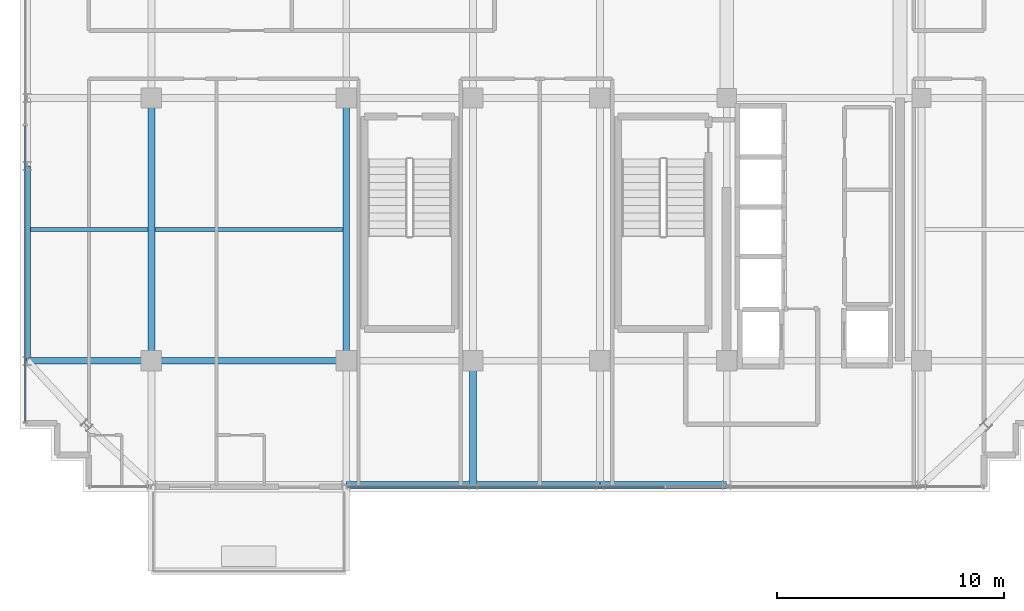
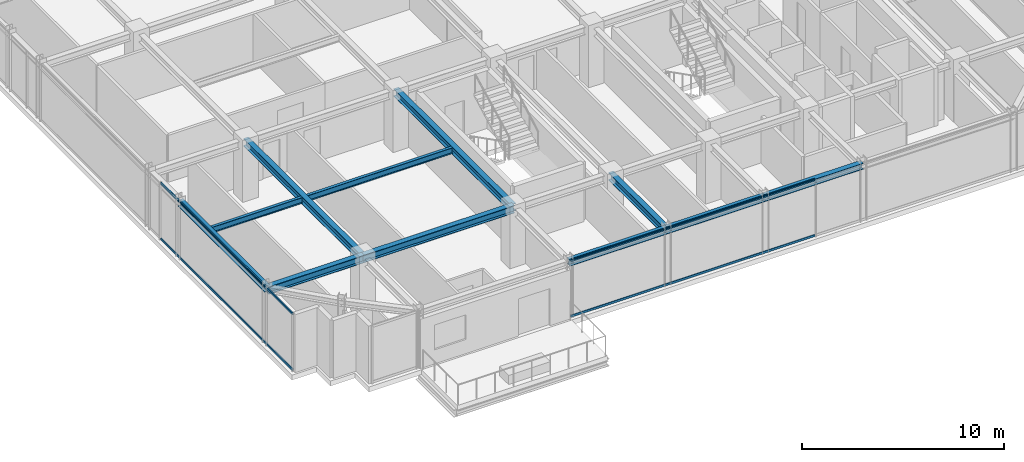
# One storey, part 6 of 33: 11 beams, 4 members, 2 elements without a shape of their own.
"""IFC4 building model written with IfcOpenShell, lengths in metres."""

from ifc_helpers import new_model, si_unit, direction, frame, origin, origin_2d, place, context, subcontext, project, spatial, hollow_rectangle, i_section, extrude, source, transform, mapped, material, material_profile, profile_set, type_object, element, aggregate, save


model = new_model("IFC4")

# Units and contexts
model_context = context("Model", 3, precision=1e-05, world=origin(), true_north=direction((0.0, 1.0)))
body_context = subcontext(model_context, "Body", "Model", "MODEL_VIEW")
ifc_project = project(units=[si_unit("LENGTHUNIT", "METRE"), si_unit("AREAUNIT", "SQUARE_METRE"), si_unit("VOLUMEUNIT", "CUBIC_METRE"), si_unit("PLANEANGLEUNIT", "RADIAN"), si_unit("MASSUNIT", "GRAM", prefix="KILO")], contexts=[model_context])

# Site, building, storey
site_placement = place(None, origin())
site = spatial("IfcSite", under=ifc_project, at=site_placement, CompositionType="ELEMENT")
building_placement = place(site_placement, origin())
building = spatial("IfcBuilding", under=site, at=building_placement, Name="Nahalor Promenade Grand Hotel", CompositionType="ELEMENT")
storey_placement = place(building_placement, frame((0.0, 0.0, 315.75)))
storey = spatial("IfcBuildingStorey", under=building, at=storey_placement, Name="L81", CompositionType="ELEMENT", Elevation=315.75)

# Beams
ifc_material_1 = material(Name="Steel S355JR", Category="steel")
ifc_material_profile_1 = material_profile(ifc_material_1, i_section(OverallWidth=0.3, OverallDepth=0.45, WebThickness=0.014, FlangeThickness=0.026, at=origin_2d()), Name="HEB 450")
ifc_profile_set_1 = profile_set([ifc_material_profile_1], Name="Steel S355JR")
beam_type_1 = type_object("IfcBeamType", Name="Beam-Girder-HEB450", PredefinedType="BEAM", material=ifc_profile_set_1)
shared_shape_1 = source(origin(), body_context, "Body", "SweptSolid", [
    extrude(i_section(OverallWidth=0.3, OverallDepth=0.45, WebThickness=0.014, FlangeThickness=0.026, at=origin_2d()), origin(), (0.0, 0.0, 1.0), 8.60009765625),
])
beam_1_placement = place(storey_placement, frame((-17.0, -17.0, 3.27490234375), z_axis=(1.0, 0.0, 0.0), x_axis=(0.0, 1.0, 0.0)))
element("IfcBeam", 1, at=beam_1_placement, inside=storey, type_object=beam_type_1, Name="BM-L81-GX-0-1", PredefinedType="BEAM", context=body_context, shape_type="MappedRepresentation", body=[
    mapped(shared_shape_1, transform((0.0, 0.0, 0.0), scale=1.0)),
])
shared_shape_2 = source(origin(), body_context, "Body", "SweptSolid", [
    extrude(i_section(OverallWidth=0.3, OverallDepth=0.45, WebThickness=0.014, FlangeThickness=0.026, at=origin_2d()), origin(), (0.0, 0.0, 1.0), 11.60009765625),
])
for number, where, z_axis, x_axis, name in (
    (2, (-17.0, -17.0, 3.27490234375), (0.0, 1.0, 0.0), (-1.0, 0.0, 0.0), "BM-L81-GY-0-1"),
    (3, (-8.39990234375, -17.0, 3.27490234375), (0.0, 1.0, 0.0), (-1.0, 0.0, 0.0), "BM-L81-GY-1-1"),
):
    element("IfcBeam", number, at=place(storey_placement, frame(where, z_axis=z_axis, x_axis=x_axis)), inside=storey, type_object=beam_type_1, Name=name, PredefinedType="BEAM", context=body_context, shape_type="MappedRepresentation", body=[
        mapped(shared_shape_2, transform((0.0, 0.0, 0.0), scale=1.0)),
    ])
shared_shape_3 = source(origin(), body_context, "Body", "SweptSolid", [
    extrude(i_section(OverallWidth=0.3, OverallDepth=0.45, WebThickness=0.014, FlangeThickness=0.026, at=origin_2d()), origin(), (0.0, 0.0, 1.0), 5.47998046875),
])
for number, where, z_axis, x_axis, name in (
    (4, (-22.47998046875, -17.0, 3.27490234375), (1.0, 0.0, 0.0), (0.0, 1.0, 0.0), "BM-L81-GX-0-0"),
    (5, (-2.800048828125, -22.47998046875, 3.27490234375), (0.0, 1.0, 0.0), (-1.0, 0.0, 0.0), "BM-L81-GY-2-0"),
):
    element("IfcBeam", number, at=place(storey_placement, frame(where, z_axis=z_axis, x_axis=x_axis)), inside=storey, type_object=beam_type_1, Name=name, PredefinedType="BEAM", context=body_context, shape_type="MappedRepresentation", body=[
        mapped(shared_shape_3, transform((0.0, 0.0, 0.0), scale=1.0)),
    ])
ifc_material_profile_2 = material_profile(ifc_material_1, i_section(OverallWidth=0.3, OverallDepth=0.36, WebThickness=0.0125, FlangeThickness=0.0225, at=origin_2d()), Name="HEB 360")
ifc_profile_set_2 = profile_set([ifc_material_profile_2], Name="Steel S355JR")
beam_type_2 = type_object("IfcBeamType", Name="Beam-Spandrel-HEB360", PredefinedType="SPANDREL", material=ifc_profile_set_2)
shared_shape_4 = source(origin(), body_context, "Body", "SweptSolid", [
    extrude(i_section(OverallWidth=0.3, OverallDepth=0.36, WebThickness=0.0125, FlangeThickness=0.0225, at=origin_2d()), origin(), (0.0, 0.0, 1.0), 8.60009765625),
])
beam_2_placement = place(storey_placement, frame((-22.47998046875, -17.0, 3.320068359375), z_axis=(0.0, 1.0, 0.0), x_axis=(-1.0, 0.0, 0.0)))
element("IfcBeam", 6, at=beam_2_placement, inside=storey, type_object=beam_type_2, Name="BM-L81-SP-W-0", PredefinedType="SPANDREL", context=body_context, shape_type="MappedRepresentation", body=[
    mapped(shared_shape_4, transform((0.0, 0.0, 0.0), scale=1.0)),
])
shared_shape_5 = source(origin(), body_context, "Body", "SweptSolid", [
    extrude(i_section(OverallWidth=0.3, OverallDepth=0.36, WebThickness=0.0125, FlangeThickness=0.0225, at=origin_2d()), origin(), (0.0, 0.0, 1.0), 5.599853515625),
])
for number, where, z_axis, x_axis, name in (
    (7, (-8.39990234375, -22.47998046875, 3.320068359375), (1.0, 0.0, 0.0), (0.0, 1.0, 0.0), "BM-L81-SP-S-1"),
    (8, (2.800048828125, -22.47998046875, 3.320068359375), (1.0, 0.0, 0.0), (0.0, 1.0, 0.0), "BM-L81-SP-S-3"),
):
    element("IfcBeam", number, at=place(storey_placement, frame(where, z_axis=z_axis, x_axis=x_axis)), inside=storey, type_object=beam_type_2, Name=name, PredefinedType="SPANDREL", context=body_context, shape_type="MappedRepresentation", body=[
        mapped(shared_shape_5, transform((0.0, 0.0, 0.0), scale=1.0)),
    ])
shared_shape_6 = source(origin(), body_context, "Body", "SweptSolid", [
    extrude(i_section(OverallWidth=0.3, OverallDepth=0.36, WebThickness=0.0125, FlangeThickness=0.0225, at=origin_2d()), origin(), (0.0, 0.0, 1.0), 5.60009765625),
])
beam_3_placement = place(storey_placement, frame((-2.800048828125, -22.47998046875, 3.320068359375), z_axis=(1.0, 0.0, 0.0), x_axis=(0.0, 1.0, 0.0)))
element("IfcBeam", 9, at=beam_3_placement, inside=storey, type_object=beam_type_2, Name="BM-L81-SP-S-2", PredefinedType="SPANDREL", context=body_context, shape_type="MappedRepresentation", body=[
    mapped(shared_shape_6, transform((0.0, 0.0, 0.0), scale=1.0)),
])
ifc_material_profile_3 = material_profile(ifc_material_1, i_section(OverallWidth=0.17, OverallDepth=0.36, WebThickness=0.008, FlangeThickness=0.0127, at=origin_2d()), Name="IPE 360")
ifc_profile_set_3 = profile_set([ifc_material_profile_3], Name="Steel S355JR")
beam_type_3 = type_object("IfcBeamType", Name="Beam-Joist-IPE360", PredefinedType="JOIST", material=ifc_profile_set_3)
shared_shape_7 = source(origin(), body_context, "Body", "SweptSolid", [
    extrude(i_section(OverallWidth=0.17, OverallDepth=0.36, WebThickness=0.008, FlangeThickness=0.0127, at=origin_2d()), origin(), (0.0, 0.0, 1.0), 5.18017578125),
])
beam_4_placement = place(storey_placement, frame((-22.330078125, -11.199951171875, 3.320068359375), z_axis=(1.0, 0.0, 0.0), x_axis=(0.0, 1.0, 0.0)))
element("IfcBeam", 10, at=beam_4_placement, inside=storey, type_object=beam_type_3, Name="BM-L81-JSW-0-0", PredefinedType="JOIST", context=body_context, shape_type="MappedRepresentation", body=[
    mapped(shared_shape_7, transform((0.0, 0.0, 0.0), scale=1.0)),
])
shared_shape_8 = source(origin(), body_context, "Body", "SweptSolid", [
    extrude(i_section(OverallWidth=0.17, OverallDepth=0.36, WebThickness=0.008, FlangeThickness=0.0127, at=origin_2d()), origin(), (0.0, 0.0, 1.0), 8.300048828125),
])
beam_5_placement = place(storey_placement, frame((-16.85009765625, -11.199951171875, 3.320068359375), z_axis=(1.0, 0.0, 0.0), x_axis=(0.0, 1.0, 0.0)))
element("IfcBeam", 11, at=beam_5_placement, inside=storey, type_object=beam_type_3, Name="BM-L81-JSW-0-1", PredefinedType="JOIST", context=body_context, shape_type="MappedRepresentation", body=[
    mapped(shared_shape_8, transform((0.0, 0.0, 0.0), scale=1.0)),
])

# Curtain wall, members
ifc_material_2 = material(Name="Anodised Bronze Aluminium EN AW-6063 T6", Category="aluminium")
curtain_wall_type = type_object("IfcCurtainWallType", Name="CW2 Typical Hotel Flush Bronze Unitised Curtain Wall", PredefinedType="USERDEFINED", material=ifc_material_2)
curtain_wall_1_placement = place(storey_placement, origin())
curtain_wall_1 = element("IfcCurtainWall", 12, at=curtain_wall_1_placement, inside=storey, type_object=curtain_wall_type, Name="L81 Curtain Wall CW-L81-S-3", ObjectType="UNITISED_CURTAIN_WALL", PredefinedType="USERDEFINED")
ifc_material_profile_4 = material_profile(ifc_material_2, hollow_rectangle(XDim=0.065, YDim=0.13, WallThickness=0.004, at=origin_2d()), Name="CWT 65x130x4")
ifc_profile_set_4 = profile_set([ifc_material_profile_4], Name="Anodised Bronze Aluminium EN AW-6063 T6")
member_type = type_object("IfcMemberType", Name="CWT2 Typical Bronze Transom 65x130", PredefinedType="USERDEFINED", material=ifc_profile_set_4)
shared_shape_9 = source(origin(), body_context, "Body", "SweptSolid", [
    extrude(hollow_rectangle(XDim=0.065, YDim=0.13, WallThickness=0.004, at=origin_2d()), origin(), (0.0, 0.0, 1.0), 13.982421875),
])
member_1_placement = place(storey_placement, frame((-8.3349609375, -22.56005859375, 0.06494140625), z_axis=(1.0, 0.0, 0.0), x_axis=(0.0, 1.0, 0.0)))
member_1 = element("IfcMember", 13, at=member_1_placement, type_object=member_type, Name="CW-L81-S-3 Transom 0-0", ObjectType="TRANSOM", PredefinedType="USERDEFINED", context=body_context, shape_type="MappedRepresentation", body=[
    mapped(shared_shape_9, transform((0.0, 0.0, 0.0), scale=1.0)),
])
member_2_placement = place(storey_placement, frame((-8.3349609375, -22.56005859375, 3.43505859375), z_axis=(1.0, 0.0, 0.0), x_axis=(0.0, 1.0, 0.0)))
member_2 = element("IfcMember", 14, at=member_2_placement, type_object=member_type, Name="CW-L81-S-3 Transom 0-1", ObjectType="TRANSOM", PredefinedType="USERDEFINED", context=body_context, shape_type="MappedRepresentation", body=[
    mapped(shared_shape_9, transform((0.0, 0.0, 0.0), scale=1.0)),
])
aggregate(curtain_wall_1, [member_1, member_2])

curtain_wall_2_placement = place(storey_placement, origin())
curtain_wall_2 = element("IfcCurtainWall", 15, at=curtain_wall_2_placement, inside=storey, type_object=curtain_wall_type, Name="L81 Curtain Wall CW-L81-W-1", ObjectType="UNITISED_CURTAIN_WALL", PredefinedType="USERDEFINED")
shared_shape_10 = source(origin(), body_context, "Body", "SweptSolid", [
    extrude(hollow_rectangle(XDim=0.065, YDim=0.13, WallThickness=0.004, at=origin_2d()), origin(), (0.0, 0.0, 1.0), 13.075927734375),
])
member_3_placement = place(storey_placement, frame((-22.56005859375, -19.695068359375, 0.06494140625), z_axis=(0.0, 1.0, 0.0), x_axis=(-1.0, 0.0, 0.0)))
member_3 = element("IfcMember", 16, at=member_3_placement, type_object=member_type, Name="CW-L81-W-1 Transom 0-0", ObjectType="TRANSOM", PredefinedType="USERDEFINED", context=body_context, shape_type="MappedRepresentation", body=[
    mapped(shared_shape_10, transform((0.0, 0.0, 0.0), scale=1.0)),
])
member_4_placement = place(storey_placement, frame((-22.56005859375, -19.695068359375, 3.43505859375), z_axis=(0.0, 1.0, 0.0), x_axis=(-1.0, 0.0, 0.0)))
member_4 = element("IfcMember", 17, at=member_4_placement, type_object=member_type, Name="CW-L81-W-1 Transom 0-1", ObjectType="TRANSOM", PredefinedType="USERDEFINED", context=body_context, shape_type="MappedRepresentation", body=[
    mapped(shared_shape_10, transform((0.0, 0.0, 0.0), scale=1.0)),
])
aggregate(curtain_wall_2, [member_3, member_4])

save(model, "model.ifc")
